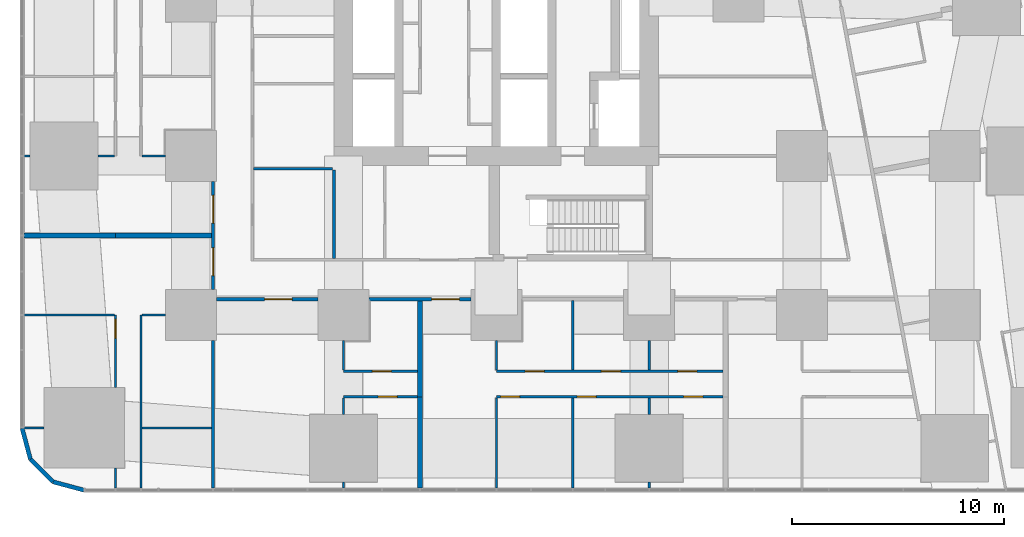
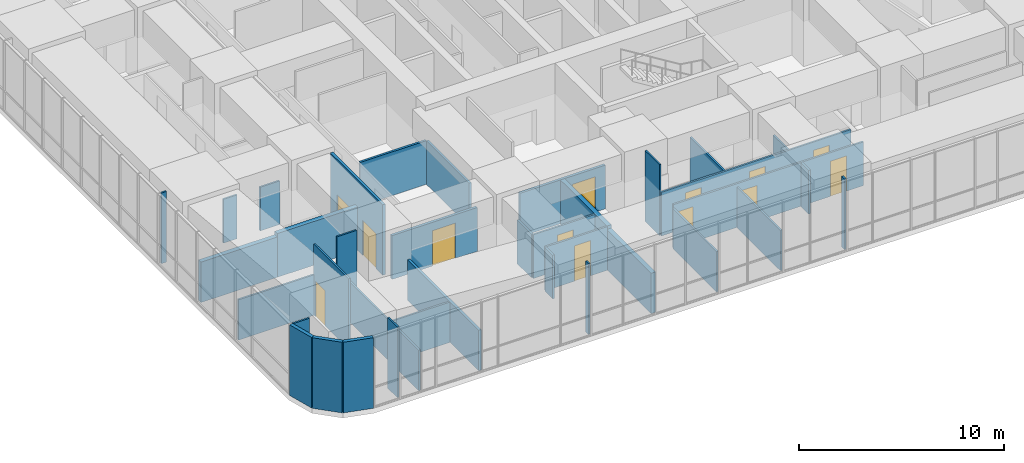
# One storey, part 14 of 23: 37 walls, 13 doors, 13 openings.
"""IFC4 building model written with IfcOpenShell, lengths in metres."""

from ifc_helpers import new_model, si_unit, direction, frame, frame_2d, origin, place, context, subcontext, project, spatial, rectangle, extrude, material, layer, layer_set, type_object, element, fill, save


model = new_model("IFC4")

# Units and contexts
model_context = context("Model", 3, precision=1e-05, world=origin(), true_north=direction((0.0, 1.0)))
body_context = subcontext(model_context, "Body", "Model", "MODEL_VIEW")
ifc_project = project(units=[si_unit("LENGTHUNIT", "METRE"), si_unit("AREAUNIT", "SQUARE_METRE"), si_unit("VOLUMEUNIT", "CUBIC_METRE"), si_unit("PLANEANGLEUNIT", "RADIAN"), si_unit("MASSUNIT", "GRAM", prefix="KILO")], contexts=[model_context])

# Site, building, storey
site_placement = place(None, origin())
site = spatial("IfcSite", under=ifc_project, at=site_placement, CompositionType="ELEMENT")
building_placement = place(site_placement, origin())
building = spatial("IfcBuilding", under=site, at=building_placement, Name="Sheger Commons Tower", CompositionType="ELEMENT")
storey_placement = place(building_placement, frame((0.0, 0.0, 5.60009765625)))
storey = spatial("IfcBuildingStorey", under=building, at=storey_placement, Name="L01", CompositionType="ELEMENT", Elevation=5.60009765625)

# Wall
ifc_material_1 = material(Name="Hollow concrete block masonry, skimmed both sides", Category="masonry")
ifc_layer_1 = layer(ifc_material_1, 0.14990234375)
ifc_layer_set_1 = layer_set([ifc_layer_1], Name="CORRIDOR WALL 150")
wall_type_1 = type_object("IfcWallType", Name="CORRIDOR WALL 150", PredefinedType="SOLIDWALL", material=ifc_layer_set_1)
wall_1_placement = place(storey_placement, frame((8.25, -0.64990234375, 0.0), z_axis=(0.0, 0.0, 1.0), x_axis=(0.0, 1.0, 0.0)))
element("IfcWall", 1, at=wall_1_placement, inside=storey, type_object=wall_type_1, Name="Corridor wall L01", PredefinedType="SOLIDWALL", context=body_context, shape_type="SweptSolid", body=[
    extrude(rectangle(XDim=6.948974609375, YDim=0.14990234375, at=frame_2d((3.474609375, 0.0))), origin(), (0.0, 0.0, 1.0), 2.39990234375),
])

# Wall, openings, doors
wall_2_placement = place(storey_placement, frame((8.25, 8.700927734375, 0.0), z_axis=(0.0, 0.0, 1.0), x_axis=(0.0, 1.0, 0.0)))
wall_2 = element("IfcWall", 2, at=wall_2_placement, inside=storey, type_object=wall_type_1, Name="Corridor wall L01", PredefinedType="SOLIDWALL", context=body_context, shape_type="SweptSolid", body=[
    extrude(rectangle(XDim=5.09814453125, YDim=0.14990234375, at=frame_2d((2.549072265625, 0.0))), origin(), (0.0, 0.0, 1.0), 4.199951171875),
])
opening_1_placement = place(wall_2_placement, frame((0.660888671875, 0.0, 0.0)))
opening_1 = element("IfcOpeningElement", 3, at=opening_1_placement, cuts=wall_2, Name="Opening D9", PredefinedType="OPENING", context=body_context, shape_type="SweptSolid", body=[
    extrude(rectangle(XDim=1.300048828125, YDim=2.10009765625, at=frame_2d((0.64990234375, 1.050048828125))), frame((0.0, 0.0849609375, 0.0), z_axis=(0.0, -1.0, 0.0), x_axis=(1.0, 0.0, 0.0)), (0.0, 0.0, 1.0), 0.169921875),
])
opening_2_placement = place(wall_2_placement, frame((3.135986328125, 0.0, 0.0)))
opening_2 = element("IfcOpeningElement", 4, at=opening_2_placement, cuts=wall_2, Name="Opening D9", PredefinedType="OPENING", context=body_context, shape_type="SweptSolid", body=[
    extrude(rectangle(XDim=1.300048828125, YDim=2.10009765625, at=frame_2d((0.64990234375, 1.050048828125))), frame((0.0, 0.0849609375, 0.0), z_axis=(0.0, -1.0, 0.0), x_axis=(1.0, 0.0, 0.0)), (0.0, 0.0, 1.0), 0.169921875),
])
ifc_material_2 = material(Name="Steel door set, fire rated", Category="steel")
door_type_1 = type_object("IfcDoorType", Name="CLINIC SUITE DOOR 1300x2100", OperationType="DOUBLE_DOOR_SINGLE_SWING", PredefinedType="DOOR", material=ifc_material_2)
door_1_placement = place(opening_1_placement, origin())
door_1 = element("IfcDoor", 5, at=door_1_placement, inside=storey, type_object=door_type_1, Name="Suite door", OperationType="DOUBLE_DOOR_SINGLE_SWING", OverallHeight=2.10009765625, OverallWidth=1.300048828125, PredefinedType="DOOR", context=body_context, shape_type="SweptSolid", body=[
    extrude(rectangle(XDim=1.300048828125, YDim=2.10009765625, at=frame_2d((0.64990234375, 1.050048828125))), frame((0.0, 0.02490234375, 0.0), z_axis=(0.0, -1.0, 0.0), x_axis=(1.0, 0.0, 0.0)), (0.0, 0.0, 1.0), 0.050048828125),
])
fill(opening_1, door_1)
door_2_placement = place(opening_2_placement, origin())
door_2 = element("IfcDoor", 6, at=door_2_placement, inside=storey, type_object=door_type_1, Name="Suite door", OperationType="DOUBLE_DOOR_SINGLE_SWING", OverallHeight=2.10009765625, OverallWidth=1.300048828125, PredefinedType="DOOR", context=body_context, shape_type="SweptSolid", body=[
    extrude(rectangle(XDim=1.300048828125, YDim=2.10009765625, at=frame_2d((0.64990234375, 1.050048828125))), frame((0.0, 0.02490234375, 0.0), z_axis=(0.0, -1.0, 0.0), x_axis=(1.0, 0.0, 0.0)), (0.0, 0.0, 1.0), 0.050048828125),
])
fill(opening_2, door_2)

# Wall, opening, door
wall_3_placement = place(storey_placement, frame((20.39892578125, 8.25, 0.0), z_axis=(0.0, 0.0, 1.0), x_axis=(-1.0, 0.0, 0.0)))
wall_3 = element("IfcWall", 7, at=wall_3_placement, inside=storey, type_object=wall_type_1, Name="Corridor wall L01", PredefinedType="SOLIDWALL", context=body_context, shape_type="SweptSolid", body=[
    extrude(rectangle(XDim=4.7978515625, YDim=0.14990234375, at=frame_2d((2.39892578125, 0.0))), origin(), (0.0, 0.0, 1.0), 2.599853515625),
])
opening_3_placement = place(wall_3_placement, frame((0.549072265625, 0.0, 0.0)))
opening_3 = element("IfcOpeningElement", 8, at=opening_3_placement, cuts=wall_3, Name="Opening D9", PredefinedType="OPENING", context=body_context, shape_type="SweptSolid", body=[
    extrude(rectangle(XDim=1.300048828125, YDim=2.10009765625, at=frame_2d((0.64990234375, 1.050048828125))), frame((0.0, 0.0849609375, 0.0), z_axis=(0.0, -1.0, 0.0), x_axis=(1.0, 0.0, 0.0)), (0.0, 0.0, 1.0), 0.169921875),
])
door_3_placement = place(opening_3_placement, origin())
door_3 = element("IfcDoor", 9, at=door_3_placement, inside=storey, type_object=door_type_1, Name="Suite door", OperationType="DOUBLE_DOOR_SINGLE_SWING", OverallHeight=2.10009765625, OverallWidth=1.300048828125, PredefinedType="DOOR", context=body_context, shape_type="SweptSolid", body=[
    extrude(rectangle(XDim=1.300048828125, YDim=2.10009765625, at=frame_2d((0.64990234375, 1.050048828125))), frame((0.0, 0.02490234375, 0.0), z_axis=(0.0, -1.0, 0.0), x_axis=(1.0, 0.0, 0.0)), (0.0, 0.0, 1.0), 0.050048828125),
])
fill(opening_3, door_3)

wall_4_placement = place(storey_placement, frame((13.198974609375, 8.25, 0.0), z_axis=(0.0, 0.0, 1.0), x_axis=(-1.0, 0.0, 0.0)))
wall_4 = element("IfcWall", 10, at=wall_4_placement, inside=storey, type_object=wall_type_1, Name="Corridor wall L01", PredefinedType="SOLIDWALL", context=body_context, shape_type="SweptSolid", body=[
    extrude(rectangle(XDim=4.798095703125, YDim=0.14990234375, at=frame_2d((2.39892578125, 0.0))), origin(), (0.0, 0.0, 1.0), 2.599853515625),
])
opening_4_placement = place(wall_4_placement, frame((1.22412109375, 0.0, 0.0)))
opening_4 = element("IfcOpeningElement", 11, at=opening_4_placement, cuts=wall_4, Name="Opening D9", PredefinedType="OPENING", context=body_context, shape_type="SweptSolid", body=[
    extrude(rectangle(XDim=1.300048828125, YDim=2.10009765625, at=frame_2d((0.64990234375, 1.050048828125))), frame((0.0, 0.0849609375, 0.0), z_axis=(0.0, -1.0, 0.0), x_axis=(1.0, 0.0, 0.0)), (0.0, 0.0, 1.0), 0.169921875),
])
door_4_placement = place(opening_4_placement, origin())
door_4 = element("IfcDoor", 12, at=door_4_placement, inside=storey, type_object=door_type_1, Name="Suite door", OperationType="DOUBLE_DOOR_SINGLE_SWING", OverallHeight=2.10009765625, OverallWidth=1.300048828125, PredefinedType="DOOR", context=body_context, shape_type="SweptSolid", body=[
    extrude(rectangle(XDim=1.300048828125, YDim=2.10009765625, at=frame_2d((0.64990234375, 1.050048828125))), frame((0.0, 0.02490234375, 0.0), z_axis=(0.0, -1.0, 0.0), x_axis=(1.0, 0.0, 0.0)), (0.0, 0.0, 1.0), 0.050048828125),
])
fill(opening_4, door_4)

# Walls
ifc_material_3 = material(Name="Dense concrete block masonry, plastered both sides (separating wall between flats)", Category="masonry")
ifc_layer_2 = layer(ifc_material_3, 0.25)
ifc_layer_set_2 = layer_set([ifc_layer_2], Name="DEMISING WALL 250")
wall_type_2 = type_object("IfcWallType", Name="DEMISING WALL 250", PredefinedType="SOLIDWALL", material=ifc_layer_set_2)
wall_5_placement = place(storey_placement, frame((-0.64990234375, 11.25, 0.0), z_axis=(0.0, 0.0, 1.0), x_axis=(1.0, 0.0, 0.0)))
element("IfcWall", 13, at=wall_5_placement, inside=storey, type_object=wall_type_2, Name="Demising wall L01", PredefinedType="SOLIDWALL", context=body_context, shape_type="SweptSolid", body=[
    extrude(rectangle(XDim=4.2998046875, YDim=0.25, at=frame_2d((2.14990234375, 0.0))), origin(), (0.0, 0.0, 1.0), 2.39990234375),
])
wall_6_placement = place(storey_placement, frame((3.64990234375, 11.25, 0.0), z_axis=(0.0, 0.0, 1.0), x_axis=(1.0, 0.0, 0.0)))
element("IfcWall", 14, at=wall_6_placement, inside=storey, type_object=wall_type_2, Name="Demising wall L01", PredefinedType="SOLIDWALL", context=body_context, shape_type="SweptSolid", body=[
    extrude(rectangle(XDim=4.525146484375, YDim=0.25, at=frame_2d((2.2626953125, 0.0))), origin(), (0.0, 0.0, 1.0), 2.599853515625),
])
wall_7_placement = place(storey_placement, frame((18.0, -0.64990234375, 0.0), z_axis=(0.0, 0.0, 1.0), x_axis=(0.0, 1.0, 0.0)))
element("IfcWall", 15, at=wall_7_placement, inside=storey, type_object=wall_type_2, Name="Demising wall L01", PredefinedType="SOLIDWALL", context=body_context, shape_type="SweptSolid", body=[
    extrude(rectangle(XDim=4.2998046875, YDim=0.25, at=frame_2d((2.14990234375, 0.0))), origin(), (0.0, 0.0, 1.0), 2.39990234375),
])
wall_8_placement = place(storey_placement, frame((18.0, 3.64990234375, 0.0), z_axis=(0.0, 0.0, 1.0), x_axis=(0.0, 1.0, 0.0)))
element("IfcWall", 16, at=wall_8_placement, inside=storey, type_object=wall_type_2, Name="Demising wall L01", PredefinedType="SOLIDWALL", context=body_context, shape_type="SweptSolid", body=[
    extrude(rectangle(XDim=4.525146484375, YDim=0.25, at=frame_2d((2.2626953125, 0.0))), origin(), (0.0, 0.0, 1.0), 2.599853515625),
])
ifc_material_4 = material(Name="Rendered concrete block masonry, dark grey", Category="masonry")
ifc_layer_3 = layer(ifc_material_4, 0.199951171875)
ifc_layer_set_3 = layer_set([ifc_layer_3], Name="FACADE WALL 200")
wall_type_3 = type_object("IfcWallType", Name="FACADE WALL 200", PredefinedType="SOLIDWALL", material=ifc_layer_set_3)
wall_9_placement = place(storey_placement, frame((-0.75, 2.1630859375, 0.0), z_axis=(0.0, 0.0, 1.0), x_axis=(0.259168954497, -0.965832000415, 0.0)))
element("IfcWall", 17, at=wall_9_placement, inside=storey, type_object=wall_type_3, Name="Facade wall L01", PredefinedType="SOLIDWALL", context=body_context, shape_type="SweptSolid", body=[
    extrude(rectangle(XDim=1.512939453125, YDim=0.199951171875, at=frame_2d((0.75634765625, 0.0))), origin(), (0.0, 0.0, 1.0), 4.199951171875),
])
wall_10_placement = place(storey_placement, frame((-0.35791015625, 0.701904296875, 0.0), z_axis=(0.0, 0.0, 1.0), x_axis=(0.707106781187, -0.707106781187, 0.0)))
element("IfcWall", 18, at=wall_10_placement, inside=storey, type_object=wall_type_3, Name="Facade wall L01", PredefinedType="SOLIDWALL", context=body_context, shape_type="SweptSolid", body=[
    extrude(rectangle(XDim=1.498779296875, YDim=0.199951171875, at=frame_2d((0.74951171875, 0.0))), origin(), (0.0, 0.0, 1.0), 4.199951171875),
])
wall_11_placement = place(storey_placement, frame((0.701904296875, -0.35791015625, 0.0), z_axis=(0.0, 0.0, 1.0), x_axis=(0.965832000415, -0.259168954497, 0.0)))
element("IfcWall", 19, at=wall_11_placement, inside=storey, type_object=wall_type_3, Name="Facade wall L01", PredefinedType="SOLIDWALL", context=body_context, shape_type="SweptSolid", body=[
    extrude(rectangle(XDim=1.512939453125, YDim=0.199951171875, at=frame_2d((0.75634765625, 0.0))), origin(), (0.0, 0.0, 1.0), 4.199951171875),
])
ifc_material_5 = material(Name="Gypsum board on steel studs", Category="steel")
ifc_layer_4 = layer(ifc_material_5, 0.10009765625)
ifc_layer_set_4 = layer_set([ifc_layer_4], Name="PARTITION 100")
wall_type_4 = type_object("IfcWallType", Name="PARTITION 100", PredefinedType="PARTITIONING", material=ifc_layer_set_4)
wall_12_placement = place(storey_placement, frame((3.64990234375, -0.64990234375, 0.0), z_axis=(0.0, 0.0, 1.0), x_axis=(0.0, 1.0, 0.0)))
element("IfcWall", 20, at=wall_12_placement, inside=storey, type_object=wall_type_4, Name="Partition L01", PredefinedType="PARTITIONING", context=body_context, shape_type="SweptSolid", body=[
    extrude(rectangle(XDim=0.934814453125, YDim=0.10009765625, at=frame_2d((0.46728515625, 0.0))), origin(), (0.0, 0.0, 1.0), 4.199951171875),
])

# Wall, opening, door
wall_13_placement = place(storey_placement, frame((3.64990234375, 4.0869140625, 0.0), z_axis=(0.0, 0.0, 1.0), x_axis=(0.0, 1.0, 0.0)))
wall_13 = element("IfcWall", 21, at=wall_13_placement, inside=storey, type_object=wall_type_4, Name="Partition L01", PredefinedType="PARTITIONING", context=body_context, shape_type="SweptSolid", body=[
    extrude(rectangle(XDim=3.4130859375, YDim=0.10009765625, at=frame_2d((1.70654296875, 0.0))), origin(), (0.0, 0.0, 1.0), 4.199951171875),
])
opening_5_placement = place(wall_13_placement, frame((2.31298828125, 0.0, 0.0)))
opening_5 = element("IfcOpeningElement", 22, at=opening_5_placement, cuts=wall_13, Name="Opening D2", PredefinedType="OPENING", context=body_context, shape_type="SweptSolid", body=[
    extrude(rectangle(XDim=0.89990234375, YDim=2.10009765625, at=frame_2d((0.449951171875, 1.050048828125))), frame((0.0, 0.06005859375, 0.0), z_axis=(0.0, -1.0, 0.0), x_axis=(1.0, 0.0, 0.0)), (0.0, 0.0, 1.0), 0.1201171875),
])
ifc_material_6 = material(Name="Timber door set", Category="wood")
door_type_2 = type_object("IfcDoorType", Name="INTERNAL DOOR 900x2100", OperationType="NOTDEFINED", PredefinedType="DOOR", material=ifc_material_6)
door_5_placement = place(opening_5_placement, origin())
door_5 = element("IfcDoor", 23, at=door_5_placement, inside=storey, type_object=door_type_2, Name="Consulting room door", OperationType="SINGLE_SWING_RIGHT", OverallHeight=2.10009765625, OverallWidth=0.89990234375, PredefinedType="DOOR", context=body_context, shape_type="SweptSolid", body=[
    extrude(rectangle(XDim=0.89990234375, YDim=2.10009765625, at=frame_2d((0.449951171875, 1.050048828125))), frame((0.0, 0.02490234375, 0.0), z_axis=(0.0, -1.0, 0.0), x_axis=(1.0, 0.0, 0.0)), (0.0, 0.0, 1.0), 0.050048828125),
])
fill(opening_5, door_5)

# Walls
wall_14_placement = place(storey_placement, frame((4.85009765625, -0.64990234375, 0.0), z_axis=(0.0, 0.0, 1.0), x_axis=(0.0, 1.0, 0.0)))
element("IfcWall", 24, at=wall_14_placement, inside=storey, type_object=wall_type_4, Name="Partition L01", PredefinedType="PARTITIONING", context=body_context, shape_type="SweptSolid", body=[
    extrude(rectangle(XDim=8.14990234375, YDim=0.10009765625, at=frame_2d((4.074951171875, 0.0))), origin(), (0.0, 0.0, 1.0), 2.39990234375),
])
wall_15_placement = place(storey_placement, frame((-0.64990234375, 2.18603515625, 0.0), z_axis=(0.0, 0.0, 1.0), x_axis=(1.0, 0.0, 0.0)))
element("IfcWall", 25, at=wall_15_placement, inside=storey, type_object=wall_type_4, Name="Partition L01", PredefinedType="PARTITIONING", context=body_context, shape_type="SweptSolid", body=[
    extrude(rectangle(XDim=0.934814453125, YDim=0.10009765625, at=frame_2d((0.46728515625, 0.0))), origin(), (0.0, 0.0, 1.0), 4.199951171875),
])
wall_16_placement = place(storey_placement, frame((-0.64990234375, 7.5, 0.0), z_axis=(0.0, 0.0, 1.0), x_axis=(1.0, 0.0, 0.0)))
element("IfcWall", 26, at=wall_16_placement, inside=storey, type_object=wall_type_4, Name="Partition L01", PredefinedType="PARTITIONING", context=body_context, shape_type="SweptSolid", body=[
    extrude(rectangle(XDim=4.25, YDim=0.10009765625, at=frame_2d((2.125, 0.0))), origin(), (0.0, 0.0, 1.0), 2.39990234375),
])
wall_17_placement = place(storey_placement, frame((4.89990234375, 2.18603515625, 0.0), z_axis=(0.0, 0.0, 1.0), x_axis=(1.0, 0.0, 0.0)))
element("IfcWall", 27, at=wall_17_placement, inside=storey, type_object=wall_type_4, Name="Partition L01", PredefinedType="PARTITIONING", context=body_context, shape_type="SweptSolid", body=[
    extrude(rectangle(XDim=3.275146484375, YDim=0.10009765625, at=frame_2d((1.6376953125, 0.0))), origin(), (0.0, 0.0, 1.0), 2.39990234375),
])
wall_18_placement = place(storey_placement, frame((4.89990234375, 7.5, 0.0), z_axis=(0.0, 0.0, 1.0), x_axis=(1.0, 0.0, 0.0)))
element("IfcWall", 28, at=wall_18_placement, inside=storey, type_object=wall_type_4, Name="Partition L01", PredefinedType="PARTITIONING", context=body_context, shape_type="SweptSolid", body=[
    extrude(rectangle(XDim=1.09912109375, YDim=0.10009765625, at=frame_2d((0.549560546875, 0.0))), origin(), (0.0, 0.0, 1.0), 4.199951171875),
])
wall_19_placement = place(storey_placement, frame((-0.64990234375, 15.0, 0.0), z_axis=(0.0, 0.0, 1.0), x_axis=(1.0, 0.0, 0.0)))
element("IfcWall", 29, at=wall_19_placement, inside=storey, type_object=wall_type_4, Name="Partition L01", PredefinedType="PARTITIONING", context=body_context, shape_type="SweptSolid", body=[
    extrude(rectangle(XDim=0.27392578125, YDim=0.10009765625, at=frame_2d((0.136962890625, 0.0))), origin(), (0.0, 0.0, 1.0), 4.199951171875),
])
wall_20_placement = place(storey_placement, frame((2.825927734375, 15.0, 0.0), z_axis=(0.0, 0.0, 1.0), x_axis=(1.0, 0.0, 0.0)))
element("IfcWall", 30, at=wall_20_placement, inside=storey, type_object=wall_type_4, Name="Partition L01", PredefinedType="PARTITIONING", context=body_context, shape_type="SweptSolid", body=[
    extrude(rectangle(XDim=0.774169921875, YDim=0.10009765625, at=frame_2d((0.38720703125, 0.0))), origin(), (0.0, 0.0, 1.0), 2.599853515625),
])
wall_21_placement = place(storey_placement, frame((4.89990234375, 15.0, 0.0), z_axis=(0.0, 0.0, 1.0), x_axis=(1.0, 0.0, 0.0)))
element("IfcWall", 31, at=wall_21_placement, inside=storey, type_object=wall_type_4, Name="Partition L01", PredefinedType="PARTITIONING", context=body_context, shape_type="SweptSolid", body=[
    extrude(rectangle(XDim=1.09912109375, YDim=0.10009765625, at=frame_2d((0.549560546875, 0.0))), origin(), (0.0, 0.0, 1.0), 2.599853515625),
])

# Wall, opening, door
wall_22_placement = place(storey_placement, frame((17.875, 3.64990234375, 0.0), z_axis=(0.0, 0.0, 1.0), x_axis=(-1.0, 0.0, 0.0)))
wall_22 = element("IfcWall", 32, at=wall_22_placement, inside=storey, type_object=wall_type_4, Name="Partition L01", PredefinedType="PARTITIONING", context=body_context, shape_type="SweptSolid", body=[
    extrude(rectangle(XDim=3.47509765625, YDim=0.10009765625, at=frame_2d((1.737548828125, 0.0))), origin(), (0.0, 0.0, 1.0), 2.599853515625),
])
opening_6_placement = place(wall_22_placement, frame((0.949951171875, 0.0, 0.0)))
opening_6 = element("IfcOpeningElement", 33, at=opening_6_placement, cuts=wall_22, Name="Opening D2", PredefinedType="OPENING", context=body_context, shape_type="SweptSolid", body=[
    extrude(rectangle(XDim=0.89990234375, YDim=2.10009765625, at=frame_2d((0.449951171875, 1.050048828125))), frame((0.0, 0.06005859375, 0.0), z_axis=(0.0, -1.0, 0.0), x_axis=(1.0, 0.0, 0.0)), (0.0, 0.0, 1.0), 0.1201171875),
])
door_6_placement = place(opening_6_placement, origin())
door_6 = element("IfcDoor", 34, at=door_6_placement, inside=storey, type_object=door_type_2, Name="Consulting room door", OperationType="SINGLE_SWING_LEFT", OverallHeight=2.10009765625, OverallWidth=0.89990234375, PredefinedType="DOOR", context=body_context, shape_type="SweptSolid", body=[
    extrude(rectangle(XDim=0.89990234375, YDim=2.10009765625, at=frame_2d((0.449951171875, 1.050048828125))), frame((0.0, 0.02490234375, 0.0), z_axis=(0.0, -1.0, 0.0), x_axis=(1.0, 0.0, 0.0)), (0.0, 0.0, 1.0), 0.050048828125),
])
fill(opening_6, door_6)

wall_23_placement = place(storey_placement, frame((17.875, 4.85009765625, 0.0), z_axis=(0.0, 0.0, 1.0), x_axis=(-1.0, 0.0, 0.0)))
wall_23 = element("IfcWall", 35, at=wall_23_placement, inside=storey, type_object=wall_type_4, Name="Partition L01", PredefinedType="PARTITIONING", context=body_context, shape_type="SweptSolid", body=[
    extrude(rectangle(XDim=3.47509765625, YDim=0.10009765625, at=frame_2d((1.737548828125, 0.0))), origin(), (0.0, 0.0, 1.0), 2.599853515625),
])
opening_7_placement = place(wall_23_placement, frame((1.22509765625, 0.0, 0.0)))
opening_7 = element("IfcOpeningElement", 36, at=opening_7_placement, cuts=wall_23, Name="Opening D2", PredefinedType="OPENING", context=body_context, shape_type="SweptSolid", body=[
    extrude(rectangle(XDim=0.89990234375, YDim=2.10009765625, at=frame_2d((0.449951171875, 1.050048828125))), frame((0.0, 0.06005859375, 0.0), z_axis=(0.0, -1.0, 0.0), x_axis=(1.0, 0.0, 0.0)), (0.0, 0.0, 1.0), 0.1201171875),
])
door_7_placement = place(opening_7_placement, origin())
door_7 = element("IfcDoor", 37, at=door_7_placement, inside=storey, type_object=door_type_2, Name="Patient WC door", OperationType="SINGLE_SWING_RIGHT", OverallHeight=2.10009765625, OverallWidth=0.89990234375, PredefinedType="DOOR", context=body_context, shape_type="SweptSolid", body=[
    extrude(rectangle(XDim=0.89990234375, YDim=2.10009765625, at=frame_2d((0.449951171875, 1.050048828125))), frame((0.0, 0.02490234375, 0.0), z_axis=(0.0, -1.0, 0.0), x_axis=(1.0, 0.0, 0.0)), (0.0, 0.0, 1.0), 0.050048828125),
])
fill(opening_7, door_7)

# Walls
wall_24_placement = place(storey_placement, frame((14.39990234375, -0.64990234375, 0.0), z_axis=(0.0, 0.0, 1.0), x_axis=(0.0, 1.0, 0.0)))
element("IfcWall", 38, at=wall_24_placement, inside=storey, type_object=wall_type_4, Name="Partition L01", PredefinedType="PARTITIONING", context=body_context, shape_type="SweptSolid", body=[
    extrude(rectangle(XDim=0.27392578125, YDim=0.10009765625, at=frame_2d((0.136962890625, 0.0))), origin(), (0.0, 0.0, 1.0), 4.199951171875),
])
wall_25_placement = place(storey_placement, frame((14.39990234375, 2.825927734375, 0.0), z_axis=(0.0, 0.0, 1.0), x_axis=(0.0, 1.0, 0.0)))
element("IfcWall", 39, at=wall_25_placement, inside=storey, type_object=wall_type_4, Name="Partition L01", PredefinedType="PARTITIONING", context=body_context, shape_type="SweptSolid", body=[
    extrude(rectangle(XDim=0.774169921875, YDim=0.10009765625, at=frame_2d((0.38720703125, 0.0))), origin(), (0.0, 0.0, 1.0), 2.599853515625),
])
wall_26_placement = place(storey_placement, frame((14.39990234375, 4.89990234375, 0.0), z_axis=(0.0, 0.0, 1.0), x_axis=(0.0, 1.0, 0.0)))
element("IfcWall", 40, at=wall_26_placement, inside=storey, type_object=wall_type_4, Name="Partition L01", PredefinedType="PARTITIONING", context=body_context, shape_type="SweptSolid", body=[
    extrude(rectangle(XDim=1.399169921875, YDim=0.10009765625, at=frame_2d((0.69970703125, 0.0))), origin(), (0.0, 0.0, 1.0), 2.599853515625),
])

# Wall, openings, doors
wall_27_placement = place(storey_placement, frame((32.27490234375, 3.64990234375, 0.0), z_axis=(0.0, 0.0, 1.0), x_axis=(-1.0, 0.0, 0.0)))
wall_27 = element("IfcWall", 41, at=wall_27_placement, inside=storey, type_object=wall_type_4, Name="Partition L01", PredefinedType="PARTITIONING", context=body_context, shape_type="SweptSolid", body=[
    extrude(rectangle(XDim=10.6748046875, YDim=0.10009765625, at=frame_2d((5.33740234375, 0.0))), origin(), (0.0, 0.0, 1.0), 2.599853515625),
])
opening_8_placement = place(wall_27_placement, frame((9.574951171875, 0.0, 0.0)))
opening_8 = element("IfcOpeningElement", 42, at=opening_8_placement, cuts=wall_27, Name="Opening D2", PredefinedType="OPENING", context=body_context, shape_type="SweptSolid", body=[
    extrude(rectangle(XDim=0.89990234375, YDim=2.10009765625, at=frame_2d((0.449951171875, 1.050048828125))), frame((0.0, 0.06005859375, 0.0), z_axis=(0.0, -1.0, 0.0), x_axis=(1.0, 0.0, 0.0)), (0.0, 0.0, 1.0), 0.1201171875),
])
opening_9_placement = place(wall_27_placement, frame((5.97509765625, 0.0, 0.0)))
opening_9 = element("IfcOpeningElement", 43, at=opening_9_placement, cuts=wall_27, Name="Opening D2", PredefinedType="OPENING", context=body_context, shape_type="SweptSolid", body=[
    extrude(rectangle(XDim=0.89990234375, YDim=2.10009765625, at=frame_2d((0.449951171875, 1.050048828125))), frame((0.0, 0.06005859375, 0.0), z_axis=(0.0, -1.0, 0.0), x_axis=(1.0, 0.0, 0.0)), (0.0, 0.0, 1.0), 0.1201171875),
])
opening_10_placement = place(wall_27_placement, frame((0.949951171875, 0.0, 0.0)))
opening_10 = element("IfcOpeningElement", 44, at=opening_10_placement, cuts=wall_27, Name="Opening D2", PredefinedType="OPENING", context=body_context, shape_type="SweptSolid", body=[
    extrude(rectangle(XDim=0.89990234375, YDim=2.10009765625, at=frame_2d((0.449951171875, 1.050048828125))), frame((0.0, 0.06005859375, 0.0), z_axis=(0.0, -1.0, 0.0), x_axis=(1.0, 0.0, 0.0)), (0.0, 0.0, 1.0), 0.1201171875),
])
door_8_placement = place(opening_8_placement, origin())
door_8 = element("IfcDoor", 45, at=door_8_placement, inside=storey, type_object=door_type_2, Name="Consulting room door", OperationType="SINGLE_SWING_RIGHT", OverallHeight=2.10009765625, OverallWidth=0.89990234375, PredefinedType="DOOR", context=body_context, shape_type="SweptSolid", body=[
    extrude(rectangle(XDim=0.89990234375, YDim=2.10009765625, at=frame_2d((0.449951171875, 1.050048828125))), frame((0.0, 0.02490234375, 0.0), z_axis=(0.0, -1.0, 0.0), x_axis=(1.0, 0.0, 0.0)), (0.0, 0.0, 1.0), 0.050048828125),
])
fill(opening_8, door_8)
door_9_placement = place(opening_9_placement, origin())
door_9 = element("IfcDoor", 46, at=door_9_placement, inside=storey, type_object=door_type_2, Name="Examination room door", OperationType="SINGLE_SWING_RIGHT", OverallHeight=2.10009765625, OverallWidth=0.89990234375, PredefinedType="DOOR", context=body_context, shape_type="SweptSolid", body=[
    extrude(rectangle(XDim=0.89990234375, YDim=2.10009765625, at=frame_2d((0.449951171875, 1.050048828125))), frame((0.0, 0.02490234375, 0.0), z_axis=(0.0, -1.0, 0.0), x_axis=(1.0, 0.0, 0.0)), (0.0, 0.0, 1.0), 0.050048828125),
])
fill(opening_9, door_9)
door_10_placement = place(opening_10_placement, origin())
door_10 = element("IfcDoor", 47, at=door_10_placement, inside=storey, type_object=door_type_2, Name="Consulting room door", OperationType="SINGLE_SWING_LEFT", OverallHeight=2.10009765625, OverallWidth=0.89990234375, PredefinedType="DOOR", context=body_context, shape_type="SweptSolid", body=[
    extrude(rectangle(XDim=0.89990234375, YDim=2.10009765625, at=frame_2d((0.449951171875, 1.050048828125))), frame((0.0, 0.02490234375, 0.0), z_axis=(0.0, -1.0, 0.0), x_axis=(1.0, 0.0, 0.0)), (0.0, 0.0, 1.0), 0.050048828125),
])
fill(opening_10, door_10)

wall_28_placement = place(storey_placement, frame((32.27490234375, 4.85009765625, 0.0), z_axis=(0.0, 0.0, 1.0), x_axis=(-1.0, 0.0, 0.0)))
wall_28 = element("IfcWall", 48, at=wall_28_placement, inside=storey, type_object=wall_type_4, Name="Partition L01", PredefinedType="PARTITIONING", context=body_context, shape_type="SweptSolid", body=[
    extrude(rectangle(XDim=10.6748046875, YDim=0.10009765625, at=frame_2d((5.33740234375, 0.0))), origin(), (0.0, 0.0, 1.0), 2.599853515625),
])
opening_11_placement = place(wall_28_placement, frame((8.425048828125, 0.0, 0.0)))
opening_11 = element("IfcOpeningElement", 49, at=opening_11_placement, cuts=wall_28, Name="Opening D2", PredefinedType="OPENING", context=body_context, shape_type="SweptSolid", body=[
    extrude(rectangle(XDim=0.89990234375, YDim=2.10009765625, at=frame_2d((0.449951171875, 1.050048828125))), frame((0.0, 0.06005859375, 0.0), z_axis=(0.0, -1.0, 0.0), x_axis=(1.0, 0.0, 0.0)), (0.0, 0.0, 1.0), 0.1201171875),
])
opening_12_placement = place(wall_28_placement, frame((4.824951171875, 0.0, 0.0)))
opening_12 = element("IfcOpeningElement", 50, at=opening_12_placement, cuts=wall_28, Name="Opening D2", PredefinedType="OPENING", context=body_context, shape_type="SweptSolid", body=[
    extrude(rectangle(XDim=0.89990234375, YDim=2.10009765625, at=frame_2d((0.449951171875, 1.050048828125))), frame((0.0, 0.06005859375, 0.0), z_axis=(0.0, -1.0, 0.0), x_axis=(1.0, 0.0, 0.0)), (0.0, 0.0, 1.0), 0.1201171875),
])
opening_13_placement = place(wall_28_placement, frame((1.22509765625, 0.0, 0.0)))
opening_13 = element("IfcOpeningElement", 51, at=opening_13_placement, cuts=wall_28, Name="Opening D2", PredefinedType="OPENING", context=body_context, shape_type="SweptSolid", body=[
    extrude(rectangle(XDim=0.89990234375, YDim=2.10009765625, at=frame_2d((0.449951171875, 1.050048828125))), frame((0.0, 0.06005859375, 0.0), z_axis=(0.0, -1.0, 0.0), x_axis=(1.0, 0.0, 0.0)), (0.0, 0.0, 1.0), 0.1201171875),
])
door_11_placement = place(opening_11_placement, origin())
door_11 = element("IfcDoor", 52, at=door_11_placement, inside=storey, type_object=door_type_2, Name="Patient WC door", OperationType="SINGLE_SWING_LEFT", OverallHeight=2.10009765625, OverallWidth=0.89990234375, PredefinedType="DOOR", context=body_context, shape_type="SweptSolid", body=[
    extrude(rectangle(XDim=0.89990234375, YDim=2.10009765625, at=frame_2d((0.449951171875, 1.050048828125))), frame((0.0, 0.02490234375, 0.0), z_axis=(0.0, -1.0, 0.0), x_axis=(1.0, 0.0, 0.0)), (0.0, 0.0, 1.0), 0.050048828125),
])
fill(opening_11, door_11)
door_12_placement = place(opening_12_placement, origin())
door_12 = element("IfcDoor", 53, at=door_12_placement, inside=storey, type_object=door_type_2, Name="Treatment room door", OperationType="SINGLE_SWING_RIGHT", OverallHeight=2.10009765625, OverallWidth=0.89990234375, PredefinedType="DOOR", context=body_context, shape_type="SweptSolid", body=[
    extrude(rectangle(XDim=0.89990234375, YDim=2.10009765625, at=frame_2d((0.449951171875, 1.050048828125))), frame((0.0, 0.02490234375, 0.0), z_axis=(0.0, -1.0, 0.0), x_axis=(1.0, 0.0, 0.0)), (0.0, 0.0, 1.0), 0.050048828125),
])
fill(opening_12, door_12)
door_13_placement = place(opening_13_placement, origin())
door_13 = element("IfcDoor", 54, at=door_13_placement, inside=storey, type_object=door_type_2, Name="Treatment room door", OperationType="SINGLE_SWING_RIGHT", OverallHeight=2.10009765625, OverallWidth=0.89990234375, PredefinedType="DOOR", context=body_context, shape_type="SweptSolid", body=[
    extrude(rectangle(XDim=0.89990234375, YDim=2.10009765625, at=frame_2d((0.449951171875, 1.050048828125))), frame((0.0, 0.02490234375, 0.0), z_axis=(0.0, -1.0, 0.0), x_axis=(1.0, 0.0, 0.0)), (0.0, 0.0, 1.0), 0.050048828125),
])
fill(opening_13, door_13)

# Walls
for number, where, z_axis, x_axis, name in (
    (55, (21.60009765625, -0.64990234375, 0.0), (0.0, 0.0, 1.0), (0.0, 1.0, 0.0), "Partition L01"),
    (56, (25.199951171875, -0.64990234375, 0.0), (0.0, 0.0, 1.0), (0.0, 1.0, 0.0), "Partition L01"),
):
    element("IfcWall", number, at=place(storey_placement, frame(where, z_axis=z_axis, x_axis=x_axis)), inside=storey, type_object=wall_type_4, Name=name, PredefinedType="PARTITIONING", context=body_context, shape_type="SweptSolid", body=[
        extrude(rectangle(XDim=4.25, YDim=0.10009765625, at=frame_2d((2.125, 0.0))), origin(), (0.0, 0.0, 1.0), 2.39990234375),
    ])
wall_29_placement = place(storey_placement, frame((28.800048828125, -0.64990234375, 0.0), z_axis=(0.0, 0.0, 1.0), x_axis=(0.0, 1.0, 0.0)))
element("IfcWall", 57, at=wall_29_placement, inside=storey, type_object=wall_type_4, Name="Partition L01", PredefinedType="PARTITIONING", context=body_context, shape_type="SweptSolid", body=[
    extrude(rectangle(XDim=0.27392578125, YDim=0.10009765625, at=frame_2d((0.136962890625, 0.0))), origin(), (0.0, 0.0, 1.0), 4.199951171875),
])
wall_30_placement = place(storey_placement, frame((28.800048828125, 2.825927734375, 0.0), z_axis=(0.0, 0.0, 1.0), x_axis=(0.0, 1.0, 0.0)))
element("IfcWall", 58, at=wall_30_placement, inside=storey, type_object=wall_type_4, Name="Partition L01", PredefinedType="PARTITIONING", context=body_context, shape_type="SweptSolid", body=[
    extrude(rectangle(XDim=0.774169921875, YDim=0.10009765625, at=frame_2d((0.38720703125, 0.0))), origin(), (0.0, 0.0, 1.0), 2.599853515625),
])
wall_31_placement = place(storey_placement, frame((21.60009765625, 4.89990234375, 0.0), z_axis=(0.0, 0.0, 1.0), x_axis=(0.0, 1.0, 0.0)))
element("IfcWall", 59, at=wall_31_placement, inside=storey, type_object=wall_type_4, Name="Partition L01", PredefinedType="PARTITIONING", context=body_context, shape_type="SweptSolid", body=[
    extrude(rectangle(XDim=1.399169921875, YDim=0.10009765625, at=frame_2d((0.69970703125, 0.0))), origin(), (0.0, 0.0, 1.0), 4.199951171875),
])
wall_32_placement = place(storey_placement, frame((25.199951171875, 4.89990234375, 0.0), z_axis=(0.0, 0.0, 1.0), x_axis=(0.0, 1.0, 0.0)))
element("IfcWall", 60, at=wall_32_placement, inside=storey, type_object=wall_type_4, Name="Partition L01", PredefinedType="PARTITIONING", context=body_context, shape_type="SweptSolid", body=[
    extrude(rectangle(XDim=3.275146484375, YDim=0.10009765625, at=frame_2d((1.6376953125, 0.0))), origin(), (0.0, 0.0, 1.0), 2.599853515625),
])
wall_33_placement = place(storey_placement, frame((28.800048828125, 4.89990234375, 0.0), z_axis=(0.0, 0.0, 1.0), x_axis=(0.0, 1.0, 0.0)))
element("IfcWall", 61, at=wall_33_placement, inside=storey, type_object=wall_type_4, Name="Partition L01", PredefinedType="PARTITIONING", context=body_context, shape_type="SweptSolid", body=[
    extrude(rectangle(XDim=1.399169921875, YDim=0.10009765625, at=frame_2d((0.69970703125, 0.0))), origin(), (0.0, 0.0, 1.0), 2.599853515625),
])
ifc_material_7 = material(Name="Gypsum board on steel studs, two layers each side, fire rated", Category="steel")
ifc_layer_5 = layer(ifc_material_7, 0.125)
ifc_layer_set_5 = layer_set([ifc_layer_5], Name="SERVICE WALL 125")
wall_type_5 = type_object("IfcWallType", Name="SERVICE WALL 125", PredefinedType="PARTITIONING", material=ifc_layer_set_5)
wall_34_placement = place(storey_placement, frame((10.1630859375, 14.39990234375, 0.0), z_axis=(0.0, 0.0, 1.0), x_axis=(1.0, 0.0, 0.0)))
element("IfcWall", 62, at=wall_34_placement, inside=storey, type_object=wall_type_5, Name="Service room wall L01", PredefinedType="PARTITIONING", context=body_context, shape_type="SweptSolid", body=[
    extrude(rectangle(XDim=3.724853515625, YDim=0.125, at=frame_2d((1.8623046875, 0.0))), origin(), (0.0, 0.0, 1.0), 2.599853515625),
])
wall_35_placement = place(storey_placement, frame((13.949951171875, 10.1630859375, 0.0), z_axis=(0.0, 0.0, 1.0), x_axis=(0.0, 1.0, 0.0)))
element("IfcWall", 63, at=wall_35_placement, inside=storey, type_object=wall_type_5, Name="Service room wall L01", PredefinedType="PARTITIONING", context=body_context, shape_type="SweptSolid", body=[
    extrude(rectangle(XDim=4.1748046875, YDim=0.125, at=frame_2d((2.08740234375, 0.0))), origin(), (0.0, 0.0, 1.0), 2.599853515625),
])

save(model, "model.ifc")
